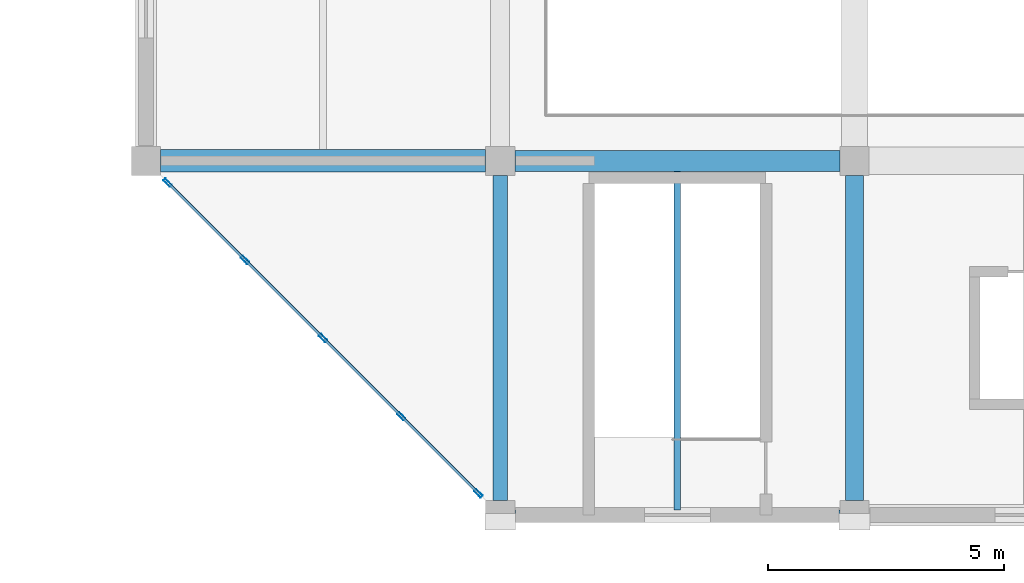
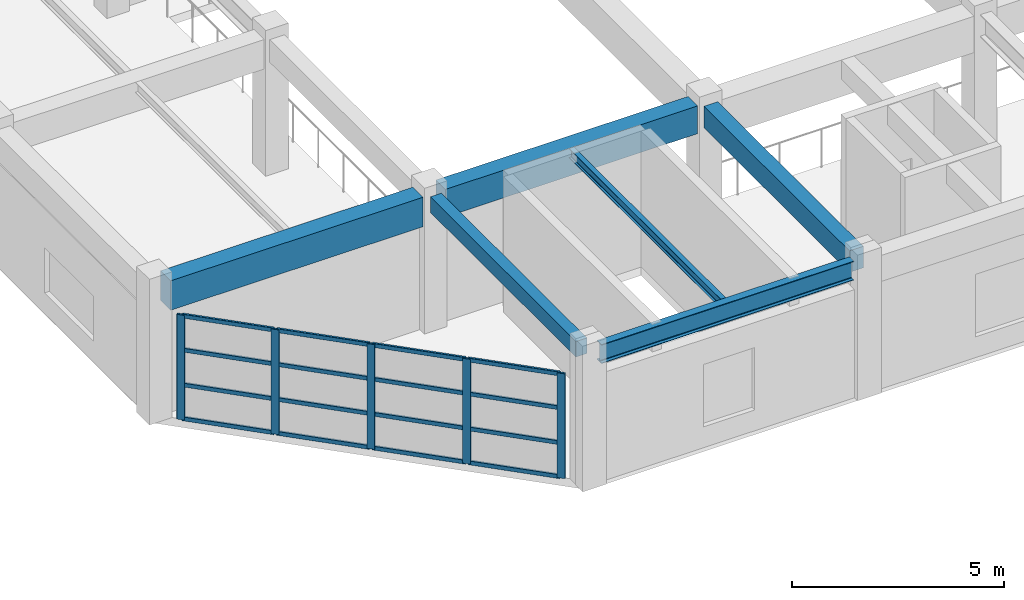
# One storey, part 59 of 124: 21 members, 6 beams, 1 element without a shape of its own.
"""IFC4 building model written with IfcOpenShell, lengths in metres."""

from ifc_helpers import new_model, si_unit, direction, frame, origin, origin_2d, place, context, subcontext, project, spatial, rectangle, hollow_rectangle, i_section, extrude, material, material_profile, profile_set, type_object, element, aggregate, save


model = new_model("IFC4")

# Units and contexts
model_context = context("Model", 3, precision=1e-05, world=origin(), true_north=direction((0.0, 1.0)))
body_context = subcontext(model_context, "Body", "Model", "MODEL_VIEW")
ifc_project = project(units=[si_unit("LENGTHUNIT", "METRE"), si_unit("AREAUNIT", "SQUARE_METRE"), si_unit("VOLUMEUNIT", "CUBIC_METRE"), si_unit("PLANEANGLEUNIT", "RADIAN"), si_unit("MASSUNIT", "GRAM", prefix="KILO")], contexts=[model_context])

# Site, building, storey
site_placement = place(None, origin())
site = spatial("IfcSite", under=ifc_project, at=site_placement, CompositionType="ELEMENT")
building_placement = place(site_placement, origin())
building = spatial("IfcBuilding", under=site, at=building_placement, Name="Qasida Concert Hall", CompositionType="ELEMENT")
storey_placement = place(building_placement, frame((0.0, 0.0, 9.0)))
storey = spatial("IfcBuildingStorey", under=building, at=storey_placement, Name="L02", CompositionType="ELEMENT", Elevation=9.0)

# Beams
ifc_material_1 = material(Name="Concrete C40/50", Category="concrete")
ifc_material_profile_1 = material_profile(ifc_material_1, rectangle(XDim=0.3798828125, YDim=0.6201171875, at=origin_2d()), Name="RC 380x620")
ifc_profile_set_1 = profile_set([ifc_material_profile_1], Name="Concrete C40/50")
beam_type_1 = type_object("IfcBeamType", Name="BM-B10", PredefinedType="BEAM", material=ifc_profile_set_1)
beam_1_placement = place(storey_placement, frame((142.5, 0.31005859375, 3.590087890625), z_axis=(0.0, 1.0, 0.0), x_axis=(-1.0, 0.0, 0.0)))
element("IfcBeam", 1, at=beam_1_placement, inside=storey, type_object=beam_type_1, Name="L02 girder 1247", PredefinedType="BEAM", context=body_context, shape_type="SweptSolid", body=[
    extrude(rectangle(XDim=0.3798828125, YDim=0.6201171875, at=origin_2d()), origin(), (0.0, 0.0, 1.0), 6.8798828125),
])
ifc_material_profile_2 = material_profile(ifc_material_1, rectangle(XDim=0.300048828125, YDim=0.449951171875, at=origin_2d()), Name="RC 300x450")
ifc_profile_set_2 = profile_set([ifc_material_profile_2], Name="Concrete C40/50")
beam_type_2 = type_object("IfcBeamType", Name="BM-B3", PredefinedType="BEAM", material=ifc_profile_set_2)
beam_2_placement = place(storey_placement, frame((135.0, 0.31005859375, 3.675048828125), z_axis=(0.0, 1.0, 0.0), x_axis=(-1.0, 0.0, 0.0)))
element("IfcBeam", 2, at=beam_2_placement, inside=storey, type_object=beam_type_2, Name="L02 girder 1243", PredefinedType="BEAM", context=body_context, shape_type="SweptSolid", body=[
    extrude(rectangle(XDim=0.300048828125, YDim=0.449951171875, at=origin_2d()), origin(), (0.0, 0.0, 1.0), 6.8798828125),
])
ifc_material_profile_3 = material_profile(ifc_material_1, rectangle(XDim=0.449951171875, YDim=0.800048828125, at=origin_2d()), Name="RC 450x800")
ifc_profile_set_3 = profile_set([ifc_material_profile_3], Name="Concrete C40/50")
beam_type_3 = type_object("IfcBeamType", Name="BM-G2", PredefinedType="USERDEFINED", material=ifc_profile_set_3)
beam_3_placement = place(storey_placement, frame((135.31005859375, 7.5, 3.5), z_axis=(1.0, 0.0, 0.0), x_axis=(0.0, 1.0, 0.0)))
element("IfcBeam", 3, at=beam_3_placement, inside=storey, type_object=beam_type_3, Name="Primary girder 1227", ObjectType="GIRDER", PredefinedType="USERDEFINED", context=body_context, shape_type="SweptSolid", body=[
    extrude(rectangle(XDim=0.449951171875, YDim=0.800048828125, at=origin_2d()), origin(), (0.0, 0.0, 1.0), 6.8798828125),
])
ifc_material_profile_4 = material_profile(ifc_material_1, rectangle(XDim=0.47998046875, YDim=0.85009765625, at=origin_2d()), Name="RC 480x850")
ifc_profile_set_4 = profile_set([ifc_material_profile_4], Name="Concrete C40/50")
beam_type_4 = type_object("IfcBeamType", Name="BM-G6", PredefinedType="USERDEFINED", material=ifc_profile_set_4)
beam_4_placement = place(storey_placement, frame((127.81005859375, 7.5, 3.47509765625), z_axis=(1.0, 0.0, 0.0), x_axis=(0.0, 1.0, 0.0)))
element("IfcBeam", 4, at=beam_4_placement, inside=storey, type_object=beam_type_4, Name="Primary girder 1226", ObjectType="GIRDER", PredefinedType="USERDEFINED", context=body_context, shape_type="SweptSolid", body=[
    extrude(rectangle(XDim=0.47998046875, YDim=0.85009765625, at=origin_2d()), origin(), (0.0, 0.0, 1.0), 6.8798828125),
])
ifc_material_2 = material(Name="Steel S355J2", Category="steel")
ifc_material_profile_5 = material_profile(ifc_material_2, i_section(OverallWidth=0.135009765625, OverallDepth=0.27001953125, WebThickness=0.006591796875, FlangeThickness=0.01025390625, FilletRadius=0.014892578125, at=origin_2d()), Name="IPE 270")
ifc_profile_set_5 = profile_set([ifc_material_profile_5], Name="Steel S355J2")
beam_type_5 = type_object("IfcBeamType", Name="BM-J6", PredefinedType="JOIST", material=ifc_profile_set_5)
beam_5_placement = place(storey_placement, frame((138.75, 0.10498046875, 3.764892578125), z_axis=(0.0, 1.0, 0.0), x_axis=(-1.0, 0.0, 0.0)))
element("IfcBeam", 5, at=beam_5_placement, inside=storey, type_object=beam_type_5, Name="L02 secondary joist 1261", PredefinedType="JOIST", context=body_context, shape_type="SweptSolid", body=[
    extrude(i_section(OverallWidth=0.135009765625, OverallDepth=0.27001953125, WebThickness=0.006591796875, FlangeThickness=0.01025390625, FilletRadius=0.014892578125, at=origin_2d()), origin(), (0.0, 0.0, 1.0), 7.169921875),
])
ifc_material_profile_6 = material_profile(ifc_material_2, i_section(OverallWidth=0.2099609375, OverallDepth=0.550048828125, WebThickness=0.010986328125, FlangeThickness=0.01708984375, FilletRadius=0.02392578125, at=origin_2d()), Name="IPE 550")
ifc_profile_set_6 = profile_set([ifc_material_profile_6], Name="Steel S355J2")
beam_type_6 = type_object("IfcBeamType", Name="BM-SP2", PredefinedType="SPANDREL", material=ifc_profile_set_6)
beam_6_placement = place(storey_placement, frame((135.31005859375, 0.0, 3.625), z_axis=(1.0, 0.0, 0.0), x_axis=(0.0, 1.0, 0.0)))
element("IfcBeam", 6, at=beam_6_placement, inside=storey, type_object=beam_type_6, Name="Primary girder 1223", PredefinedType="SPANDREL", context=body_context, shape_type="SweptSolid", body=[
    extrude(i_section(OverallWidth=0.2099609375, OverallDepth=0.550048828125, WebThickness=0.010986328125, FlangeThickness=0.01708984375, FilletRadius=0.02392578125, at=origin_2d()), origin(), (0.0, 0.0, 1.0), 6.8798828125),
])

# Curtain wall, members
ifc_material_3 = material(Name="Architectural bronze-anodized aluminium and low-E glass", Category="aluminium")
curtain_wall_type = type_object("IfcCurtainWallType", Name="CW-07", PredefinedType="NOTDEFINED", material=ifc_material_3)
curtain_wall_placement = place(storey_placement, origin())
curtain_wall = element("IfcCurtainWall", 7, at=curtain_wall_placement, inside=storey, type_object=curtain_wall_type, Name="L02 curtain wall CW-07 0150", PredefinedType="NOTDEFINED")
ifc_material_4 = material(Name="Architectural bronze-anodized aluminium EN AW-6063", Category="aluminium")
ifc_material_profile_7 = material_profile(ifc_material_4, hollow_rectangle(XDim=0.06494140625, YDim=0.199951171875, WallThickness=0.0048828125, InnerFilletRadius=0.0048828125, OuterFilletRadius=0.010009765625, at=origin_2d()), Name="CWM 200x65x5")
ifc_profile_set_7 = profile_set([ifc_material_profile_7], Name="Architectural bronze-anodized aluminium EN AW-6063")
member_type_1 = type_object("IfcMemberType", Name="MB-CWM-2", PredefinedType="MULLION", material=ifc_profile_set_7)
member_1_placement = place(storey_placement, frame((127.96142578125, 7.03857421875, 0.0), z_axis=(0.0, 0.0, 1.0), x_axis=(0.707106781187, 0.707106781187, 0.0)))
member_1 = element("IfcMember", 8, at=member_1_placement, type_object=member_type_1, Name="CW-07 mullion 1", PredefinedType="MULLION", context=body_context, shape_type="SweptSolid", body=[
    extrude(hollow_rectangle(XDim=0.06494140625, YDim=0.199951171875, WallThickness=0.0048828125, InnerFilletRadius=0.0048828125, OuterFilletRadius=0.010009765625, at=origin_2d()), origin(), (0.0, 0.0, 1.0), 3.02001953125),
])
member_2_placement = place(storey_placement, frame((129.59423828125, 5.40576171875, 0.0), z_axis=(0.0, 0.0, 1.0), x_axis=(0.707106781187, 0.707106781187, 0.0)))
member_2 = element("IfcMember", 9, at=member_2_placement, type_object=member_type_1, Name="CW-07 mullion 2", PredefinedType="MULLION", context=body_context, shape_type="SweptSolid", body=[
    extrude(hollow_rectangle(XDim=0.06494140625, YDim=0.199951171875, WallThickness=0.0048828125, InnerFilletRadius=0.0048828125, OuterFilletRadius=0.010009765625, at=origin_2d()), origin(), (0.0, 0.0, 1.0), 3.02001953125),
])
member_3_placement = place(storey_placement, frame((131.25, 3.75, 0.0), z_axis=(0.0, 0.0, 1.0), x_axis=(0.707106781187, 0.707106781187, 0.0)))
member_3 = element("IfcMember", 10, at=member_3_placement, type_object=member_type_1, Name="CW-07 mullion 3", PredefinedType="MULLION", context=body_context, shape_type="SweptSolid", body=[
    extrude(hollow_rectangle(XDim=0.06494140625, YDim=0.199951171875, WallThickness=0.0048828125, InnerFilletRadius=0.0048828125, OuterFilletRadius=0.010009765625, at=origin_2d()), origin(), (0.0, 0.0, 1.0), 3.02001953125),
])
member_4_placement = place(storey_placement, frame((132.90576171875, 2.09423828125, 0.0), z_axis=(0.0, 0.0, 1.0), x_axis=(0.707106781187, 0.707106781187, 0.0)))
member_4 = element("IfcMember", 11, at=member_4_placement, type_object=member_type_1, Name="CW-07 mullion 4", PredefinedType="MULLION", context=body_context, shape_type="SweptSolid", body=[
    extrude(hollow_rectangle(XDim=0.06494140625, YDim=0.199951171875, WallThickness=0.0048828125, InnerFilletRadius=0.0048828125, OuterFilletRadius=0.010009765625, at=origin_2d()), origin(), (0.0, 0.0, 1.0), 3.02001953125),
])
member_5_placement = place(storey_placement, frame((134.53857421875, 0.46142578125, 0.0), z_axis=(0.0, 0.0, 1.0), x_axis=(0.707106781187, 0.707106781187, 0.0)))
member_5 = element("IfcMember", 12, at=member_5_placement, type_object=member_type_1, Name="CW-07 mullion 5", PredefinedType="MULLION", context=body_context, shape_type="SweptSolid", body=[
    extrude(hollow_rectangle(XDim=0.06494140625, YDim=0.199951171875, WallThickness=0.0048828125, InnerFilletRadius=0.0048828125, OuterFilletRadius=0.010009765625, at=origin_2d()), origin(), (0.0, 0.0, 1.0), 3.02001953125),
])
ifc_material_profile_8 = material_profile(ifc_material_4, hollow_rectangle(XDim=0.06005859375, YDim=0.1201171875, WallThickness=0.00390625, InnerFilletRadius=0.00390625, OuterFilletRadius=0.008056640625, at=origin_2d()), Name="CWT 120x60x4")
ifc_profile_set_8 = profile_set([ifc_material_profile_8], Name="Architectural bronze-anodized aluminium EN AW-6063")
member_type_2 = type_object("IfcMemberType", Name="MB-CWT-2", PredefinedType="USERDEFINED", material=ifc_profile_set_8)
member_6_placement = place(storey_placement, frame((127.984375, 7.015625, 0.030029296875), z_axis=(0.707106781187, -0.707106781187, 0.0), x_axis=(0.707106781187, 0.707106781187, 0.0)))
member_6 = element("IfcMember", 13, at=member_6_placement, type_object=member_type_2, Name="CW-07 transom 1.1", ObjectType="TRANSOM", PredefinedType="USERDEFINED", context=body_context, shape_type="SweptSolid", body=[
    extrude(hollow_rectangle(XDim=0.06005859375, YDim=0.1201171875, WallThickness=0.00390625, InnerFilletRadius=0.00390625, OuterFilletRadius=0.008056640625, at=origin_2d()), origin(), (0.0, 0.0, 1.0), 2.244140625),
])
member_7_placement = place(storey_placement, frame((127.984375, 7.015625, 1.006591796875), z_axis=(0.707106781187, -0.707106781187, 0.0), x_axis=(0.707106781187, 0.707106781187, 0.0)))
member_7 = element("IfcMember", 14, at=member_7_placement, type_object=member_type_2, Name="CW-07 transom 1.2", ObjectType="TRANSOM", PredefinedType="USERDEFINED", context=body_context, shape_type="SweptSolid", body=[
    extrude(hollow_rectangle(XDim=0.06005859375, YDim=0.1201171875, WallThickness=0.00390625, InnerFilletRadius=0.00390625, OuterFilletRadius=0.008056640625, at=origin_2d()), origin(), (0.0, 0.0, 1.0), 2.244140625),
])
member_8_placement = place(storey_placement, frame((127.984375, 7.015625, 2.01318359375), z_axis=(0.707106781187, -0.707106781187, 0.0), x_axis=(0.707106781187, 0.707106781187, 0.0)))
member_8 = element("IfcMember", 15, at=member_8_placement, type_object=member_type_2, Name="CW-07 transom 1.3", ObjectType="TRANSOM", PredefinedType="USERDEFINED", context=body_context, shape_type="SweptSolid", body=[
    extrude(hollow_rectangle(XDim=0.06005859375, YDim=0.1201171875, WallThickness=0.00390625, InnerFilletRadius=0.00390625, OuterFilletRadius=0.008056640625, at=origin_2d()), origin(), (0.0, 0.0, 1.0), 2.244140625),
])
member_9_placement = place(storey_placement, frame((127.984375, 7.015625, 2.989990234375), z_axis=(0.707106781187, -0.707106781187, 0.0), x_axis=(0.707106781187, 0.707106781187, 0.0)))
member_9 = element("IfcMember", 16, at=member_9_placement, type_object=member_type_2, Name="CW-07 transom 1.4", ObjectType="TRANSOM", PredefinedType="USERDEFINED", context=body_context, shape_type="SweptSolid", body=[
    extrude(hollow_rectangle(XDim=0.06005859375, YDim=0.1201171875, WallThickness=0.00390625, InnerFilletRadius=0.00390625, OuterFilletRadius=0.008056640625, at=origin_2d()), origin(), (0.0, 0.0, 1.0), 2.244140625),
])
member_10_placement = place(storey_placement, frame((129.6171875, 5.3828125, 0.030029296875), z_axis=(0.707106781187, -0.707106781187, 0.0), x_axis=(0.707106781187, 0.707106781187, 0.0)))
member_10 = element("IfcMember", 17, at=member_10_placement, type_object=member_type_2, Name="CW-07 transom 2.1", ObjectType="TRANSOM", PredefinedType="USERDEFINED", context=body_context, shape_type="SweptSolid", body=[
    extrude(hollow_rectangle(XDim=0.06005859375, YDim=0.1201171875, WallThickness=0.00390625, InnerFilletRadius=0.00390625, OuterFilletRadius=0.008056640625, at=origin_2d()), origin(), (0.0, 0.0, 1.0), 2.276611328125),
])
member_11_placement = place(storey_placement, frame((129.6171875, 5.3828125, 1.006591796875), z_axis=(0.707106781187, -0.707106781187, 0.0), x_axis=(0.707106781187, 0.707106781187, 0.0)))
member_11 = element("IfcMember", 18, at=member_11_placement, type_object=member_type_2, Name="CW-07 transom 2.2", ObjectType="TRANSOM", PredefinedType="USERDEFINED", context=body_context, shape_type="SweptSolid", body=[
    extrude(hollow_rectangle(XDim=0.06005859375, YDim=0.1201171875, WallThickness=0.00390625, InnerFilletRadius=0.00390625, OuterFilletRadius=0.008056640625, at=origin_2d()), origin(), (0.0, 0.0, 1.0), 2.276611328125),
])
member_12_placement = place(storey_placement, frame((129.6171875, 5.3828125, 2.01318359375), z_axis=(0.707106781187, -0.707106781187, 0.0), x_axis=(0.707106781187, 0.707106781187, 0.0)))
member_12 = element("IfcMember", 19, at=member_12_placement, type_object=member_type_2, Name="CW-07 transom 2.3", ObjectType="TRANSOM", PredefinedType="USERDEFINED", context=body_context, shape_type="SweptSolid", body=[
    extrude(hollow_rectangle(XDim=0.06005859375, YDim=0.1201171875, WallThickness=0.00390625, InnerFilletRadius=0.00390625, OuterFilletRadius=0.008056640625, at=origin_2d()), origin(), (0.0, 0.0, 1.0), 2.276611328125),
])
member_13_placement = place(storey_placement, frame((129.6171875, 5.3828125, 2.989990234375), z_axis=(0.707106781187, -0.707106781187, 0.0), x_axis=(0.707106781187, 0.707106781187, 0.0)))
member_13 = element("IfcMember", 20, at=member_13_placement, type_object=member_type_2, Name="CW-07 transom 2.4", ObjectType="TRANSOM", PredefinedType="USERDEFINED", context=body_context, shape_type="SweptSolid", body=[
    extrude(hollow_rectangle(XDim=0.06005859375, YDim=0.1201171875, WallThickness=0.00390625, InnerFilletRadius=0.00390625, OuterFilletRadius=0.008056640625, at=origin_2d()), origin(), (0.0, 0.0, 1.0), 2.276611328125),
])
member_14_placement = place(storey_placement, frame((131.27294921875, 3.72705078125, 0.030029296875), z_axis=(0.707106781187, -0.707106781187, 0.0), x_axis=(0.707106781187, 0.707106781187, 0.0)))
member_14 = element("IfcMember", 21, at=member_14_placement, type_object=member_type_2, Name="CW-07 transom 3.1", ObjectType="TRANSOM", PredefinedType="USERDEFINED", context=body_context, shape_type="SweptSolid", body=[
    extrude(hollow_rectangle(XDim=0.06005859375, YDim=0.1201171875, WallThickness=0.00390625, InnerFilletRadius=0.00390625, OuterFilletRadius=0.008056640625, at=origin_2d()), origin(), (0.0, 0.0, 1.0), 2.276611328125),
])
member_15_placement = place(storey_placement, frame((131.27294921875, 3.72705078125, 1.006591796875), z_axis=(0.707106781187, -0.707106781187, 0.0), x_axis=(0.707106781187, 0.707106781187, 0.0)))
member_15 = element("IfcMember", 22, at=member_15_placement, type_object=member_type_2, Name="CW-07 transom 3.2", ObjectType="TRANSOM", PredefinedType="USERDEFINED", context=body_context, shape_type="SweptSolid", body=[
    extrude(hollow_rectangle(XDim=0.06005859375, YDim=0.1201171875, WallThickness=0.00390625, InnerFilletRadius=0.00390625, OuterFilletRadius=0.008056640625, at=origin_2d()), origin(), (0.0, 0.0, 1.0), 2.276611328125),
])
member_16_placement = place(storey_placement, frame((131.27294921875, 3.72705078125, 2.01318359375), z_axis=(0.707106781187, -0.707106781187, 0.0), x_axis=(0.707106781187, 0.707106781187, 0.0)))
member_16 = element("IfcMember", 23, at=member_16_placement, type_object=member_type_2, Name="CW-07 transom 3.3", ObjectType="TRANSOM", PredefinedType="USERDEFINED", context=body_context, shape_type="SweptSolid", body=[
    extrude(hollow_rectangle(XDim=0.06005859375, YDim=0.1201171875, WallThickness=0.00390625, InnerFilletRadius=0.00390625, OuterFilletRadius=0.008056640625, at=origin_2d()), origin(), (0.0, 0.0, 1.0), 2.276611328125),
])
member_17_placement = place(storey_placement, frame((131.27294921875, 3.72705078125, 2.989990234375), z_axis=(0.707106781187, -0.707106781187, 0.0), x_axis=(0.707106781187, 0.707106781187, 0.0)))
member_17 = element("IfcMember", 24, at=member_17_placement, type_object=member_type_2, Name="CW-07 transom 3.4", ObjectType="TRANSOM", PredefinedType="USERDEFINED", context=body_context, shape_type="SweptSolid", body=[
    extrude(hollow_rectangle(XDim=0.06005859375, YDim=0.1201171875, WallThickness=0.00390625, InnerFilletRadius=0.00390625, OuterFilletRadius=0.008056640625, at=origin_2d()), origin(), (0.0, 0.0, 1.0), 2.276611328125),
])
member_18_placement = place(storey_placement, frame((132.9287109375, 2.0712890625, 0.030029296875), z_axis=(0.707106781187, -0.707106781187, 0.0), x_axis=(0.707106781187, 0.707106781187, 0.0)))
member_18 = element("IfcMember", 25, at=member_18_placement, type_object=member_type_2, Name="CW-07 transom 4.1", ObjectType="TRANSOM", PredefinedType="USERDEFINED", context=body_context, shape_type="SweptSolid", body=[
    extrude(hollow_rectangle(XDim=0.06005859375, YDim=0.1201171875, WallThickness=0.00390625, InnerFilletRadius=0.00390625, OuterFilletRadius=0.008056640625, at=origin_2d()), origin(), (0.0, 0.0, 1.0), 2.244140625),
])
member_19_placement = place(storey_placement, frame((132.9287109375, 2.0712890625, 1.006591796875), z_axis=(0.707106781187, -0.707106781187, 0.0), x_axis=(0.707106781187, 0.707106781187, 0.0)))
member_19 = element("IfcMember", 26, at=member_19_placement, type_object=member_type_2, Name="CW-07 transom 4.2", ObjectType="TRANSOM", PredefinedType="USERDEFINED", context=body_context, shape_type="SweptSolid", body=[
    extrude(hollow_rectangle(XDim=0.06005859375, YDim=0.1201171875, WallThickness=0.00390625, InnerFilletRadius=0.00390625, OuterFilletRadius=0.008056640625, at=origin_2d()), origin(), (0.0, 0.0, 1.0), 2.244140625),
])
member_20_placement = place(storey_placement, frame((132.9287109375, 2.0712890625, 2.01318359375), z_axis=(0.707106781187, -0.707106781187, 0.0), x_axis=(0.707106781187, 0.707106781187, 0.0)))
member_20 = element("IfcMember", 27, at=member_20_placement, type_object=member_type_2, Name="CW-07 transom 4.3", ObjectType="TRANSOM", PredefinedType="USERDEFINED", context=body_context, shape_type="SweptSolid", body=[
    extrude(hollow_rectangle(XDim=0.06005859375, YDim=0.1201171875, WallThickness=0.00390625, InnerFilletRadius=0.00390625, OuterFilletRadius=0.008056640625, at=origin_2d()), origin(), (0.0, 0.0, 1.0), 2.244140625),
])
member_21_placement = place(storey_placement, frame((132.9287109375, 2.0712890625, 2.989990234375), z_axis=(0.707106781187, -0.707106781187, 0.0), x_axis=(0.707106781187, 0.707106781187, 0.0)))
member_21 = element("IfcMember", 28, at=member_21_placement, type_object=member_type_2, Name="CW-07 transom 4.4", ObjectType="TRANSOM", PredefinedType="USERDEFINED", context=body_context, shape_type="SweptSolid", body=[
    extrude(hollow_rectangle(XDim=0.06005859375, YDim=0.1201171875, WallThickness=0.00390625, InnerFilletRadius=0.00390625, OuterFilletRadius=0.008056640625, at=origin_2d()), origin(), (0.0, 0.0, 1.0), 2.244140625),
])
aggregate(curtain_wall, [member_1, member_2, member_3, member_4, member_5, member_6, member_7, member_8, member_9, member_10, member_11, member_12, member_13, member_14, member_15, member_16, member_17, member_18, member_19, member_20, member_21])

save(model, "model.ifc")
